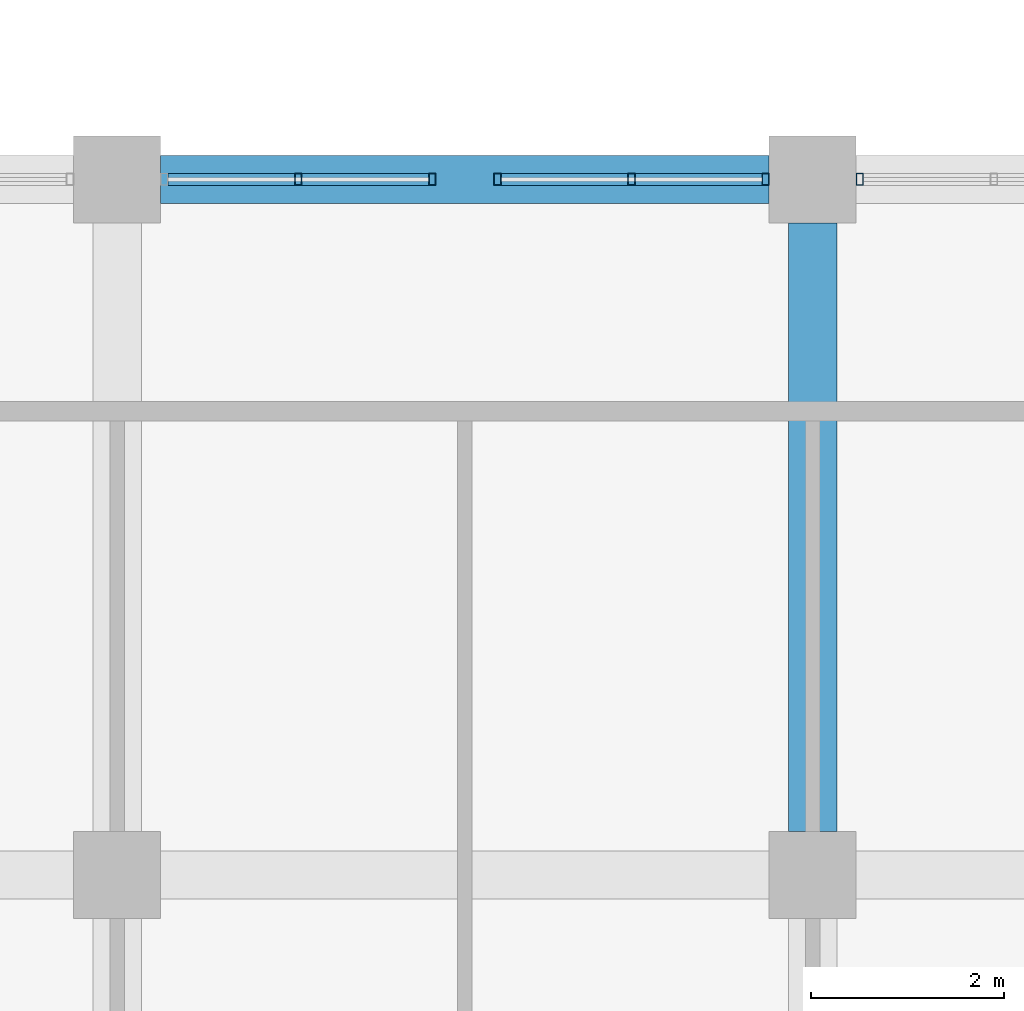
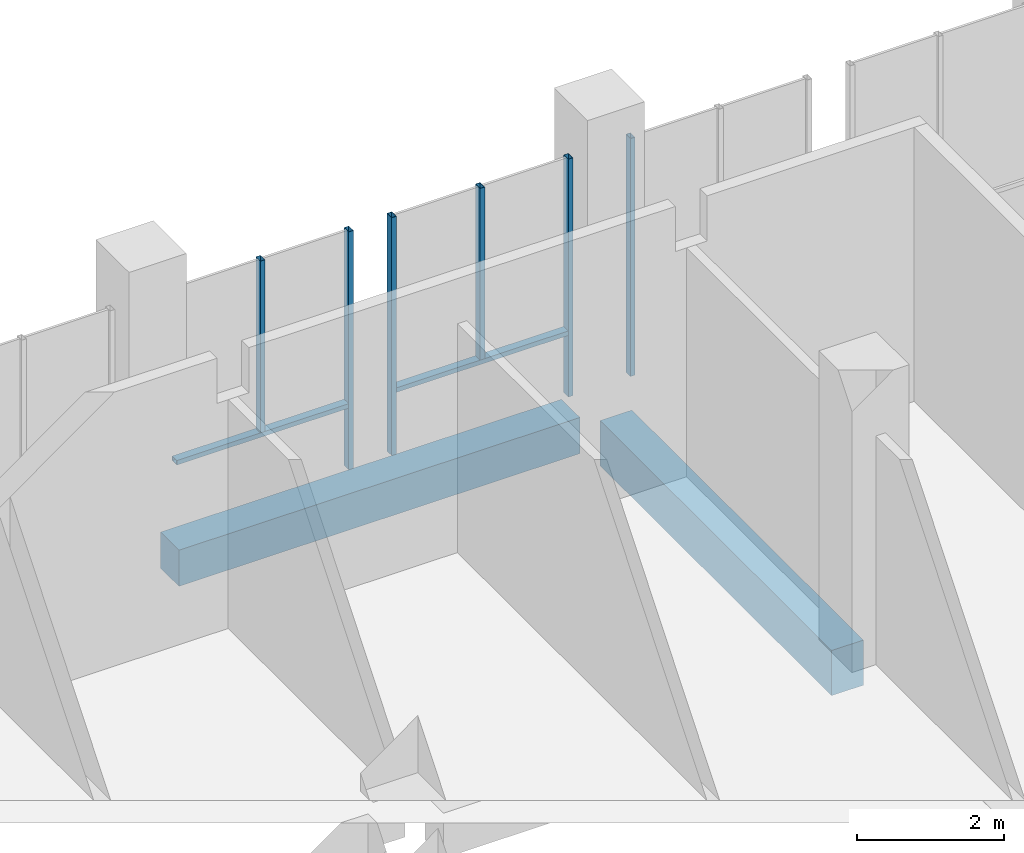
# One storey, part 3 of 39: 8 members, 2 beams, 3 elements without a shape of their own.
"""IFC4 building model written with IfcOpenShell, lengths in metres."""

from ifc_helpers import new_model, si_unit, direction, frame, origin, origin_2d, place, context, subcontext, project, spatial, rectangle, hollow_rectangle, extrude, material, material_profile, profile_set, type_object, element, aggregate, save


model = new_model("IFC4")

# Units and contexts
model_context = context("Model", 3, precision=1e-05, world=origin(), true_north=direction((0.0, 1.0)))
body_context = subcontext(model_context, "Body", "Model", "MODEL_VIEW")
ifc_project = project(units=[si_unit("LENGTHUNIT", "METRE"), si_unit("AREAUNIT", "SQUARE_METRE"), si_unit("VOLUMEUNIT", "CUBIC_METRE"), si_unit("PLANEANGLEUNIT", "RADIAN"), si_unit("MASSUNIT", "GRAM", prefix="KILO")], contexts=[model_context])

# Site, building, storey
site_placement = place(None, origin())
site = spatial("IfcSite", under=ifc_project, at=site_placement, CompositionType="ELEMENT")
building_placement = place(site_placement, origin())
building = spatial("IfcBuilding", under=site, at=building_placement, Name="Silangan Lancet Faculty of Sciences", CompositionType="ELEMENT")
storey_placement = place(building_placement, frame((0.0, 0.0, 26.39990234375)))
storey = spatial("IfcBuildingStorey", under=building, at=storey_placement, Name="L05", CompositionType="ELEMENT", Elevation=26.39990234375)

# Beams
ifc_material_1 = material(Name="Concrete C40/50", Category="concrete")
ifc_material_profile_1 = material_profile(ifc_material_1, rectangle(XDim=0.5, YDim=0.60009765625, at=origin_2d()), Name="RC 500x600")
ifc_profile_set_1 = profile_set([ifc_material_profile_1], Name="Concrete C40/50")
beam_type_1 = type_object("IfcBeamType", Name="BEAM RC 500x600", PredefinedType="BEAM", material=ifc_profile_set_1)
beam_1_placement = place(storey_placement, frame((7.64990234375, 21.60009765625, -0.5498046875), z_axis=(1.0, 0.0, 0.0), x_axis=(0.0, 1.0, 0.0)))
element("IfcBeam", 1, at=beam_1_placement, inside=storey, type_object=beam_type_1, Name="BM-L05-2D-3D", PredefinedType="BEAM", context=body_context, shape_type="SweptSolid", body=[
    extrude(rectangle(XDim=0.5, YDim=0.60009765625, at=origin_2d()), origin(), (0.0, 0.0, 1.0), 6.300048828125),
])
ifc_material_2 = material(Name="Concrete C40/50", Category="concrete")
ifc_material_profile_2 = material_profile(ifc_material_2, rectangle(XDim=0.5, YDim=0.75, at=origin_2d()), Name="RC 500x750")
ifc_profile_set_2 = profile_set([ifc_material_profile_2], Name="Concrete C40/50")
beam_type_2 = type_object("IfcBeamType", Name="BEAM RC 500x750", PredefinedType="BEAM", material=ifc_profile_set_2)
beam_2_placement = place(storey_placement, frame((14.39990234375, 14.85009765625, -0.625), z_axis=(0.0, 1.0, 0.0), x_axis=(-1.0, 0.0, 0.0)))
element("IfcBeam", 2, at=beam_2_placement, inside=storey, type_object=beam_type_2, Name="BM-L05-3C-3D", PredefinedType="BEAM", context=body_context, shape_type="SweptSolid", body=[
    extrude(rectangle(XDim=0.5, YDim=0.75, at=origin_2d()), origin(), (0.0, 0.0, 1.0), 6.2998046875),
])

# Curtain wall, member
ifc_material_3 = material(Name="Aluminium framed curtain wall with insulated glass", Category="aluminium")
curtain_wall_type = type_object("IfcCurtainWallType", Name="CW2 Atrium fire-resisting screen", PredefinedType="NOTDEFINED", material=ifc_material_3)
curtain_wall_1_placement = place(storey_placement, origin())
curtain_wall_1 = element("IfcCurtainWall", 3, at=curtain_wall_1_placement, inside=storey, type_object=curtain_wall_type, Name="CW2 Atrium south L05 bay 2", PredefinedType="NOTDEFINED")
ifc_material_4 = material(Name="Steel S355J2H", Category="steel")
ifc_material_profile_3 = material_profile(ifc_material_4, hollow_rectangle(XDim=0.074951171875, YDim=0.125, WallThickness=0.0048828125, at=origin_2d()), Name="ST BOX 75x125x5")
ifc_profile_set_3 = profile_set([ifc_material_profile_3], Name="Steel S355J2H")
member_type_1 = type_object("IfcMemberType", Name="CM2 Mullion 75x125", PredefinedType="MULLION", material=ifc_profile_set_3)
member_1_placement = place(storey_placement, frame((14.887451171875, 21.60009765625, 0.0), z_axis=(0.0, 0.0, 1.0), x_axis=(-1.0, 0.0, 0.0)))
member_1 = element("IfcMember", 4, at=member_1_placement, type_object=member_type_1, Name="CW2 Atrium south L05 bay 2 mullion 2", PredefinedType="MULLION", context=body_context, shape_type="SweptSolid", body=[
    extrude(hollow_rectangle(XDim=0.074951171875, YDim=0.125, WallThickness=0.0048828125, at=origin_2d()), origin(), (0.0, 0.0, 1.0), 3.9501953125),
])
aggregate(curtain_wall_1, [member_1])

# Curtain wall, members
curtain_wall_2_placement = place(storey_placement, origin())
curtain_wall_2 = element("IfcCurtainWall", 5, at=curtain_wall_2_placement, inside=storey, type_object=curtain_wall_type, Name="CW2 Atrium south L05 bay 3", PredefinedType="NOTDEFINED")
member_2_placement = place(storey_placement, frame((13.91259765625, 21.60009765625, 0.0), z_axis=(0.0, 0.0, 1.0), x_axis=(-1.0, 0.0, 0.0)))
member_2 = element("IfcMember", 6, at=member_2_placement, type_object=member_type_1, Name="CW2 Atrium south L05 bay 3 mullion 1", PredefinedType="MULLION", context=body_context, shape_type="SweptSolid", body=[
    extrude(hollow_rectangle(XDim=0.074951171875, YDim=0.125, WallThickness=0.0048828125, at=origin_2d()), origin(), (0.0, 0.0, 1.0), 3.9501953125),
])
member_3_placement = place(storey_placement, frame((11.137451171875, 21.60009765625, 0.0), z_axis=(0.0, 0.0, 1.0), x_axis=(-1.0, 0.0, 0.0)))
member_3 = element("IfcMember", 7, at=member_3_placement, type_object=member_type_1, Name="CW2 Atrium south L05 bay 3 mullion 2", PredefinedType="MULLION", context=body_context, shape_type="SweptSolid", body=[
    extrude(hollow_rectangle(XDim=0.074951171875, YDim=0.125, WallThickness=0.0048828125, at=origin_2d()), origin(), (0.0, 0.0, 1.0), 3.9501953125),
])
member_4_placement = place(storey_placement, frame((12.52490234375, 21.60009765625, 1.10009765625), z_axis=(0.0, 0.0, 1.0), x_axis=(-1.0, 0.0, 0.0)))
member_4 = element("IfcMember", 8, at=member_4_placement, type_object=member_type_1, Name="CW2 Atrium south L05 bay 3 mullion 3", PredefinedType="MULLION", context=body_context, shape_type="SweptSolid", body=[
    extrude(hollow_rectangle(XDim=0.074951171875, YDim=0.125, WallThickness=0.0048828125, at=origin_2d()), origin(), (0.0, 0.0, 1.0), 2.85009765625),
])

curtain_wall_3_placement = place(storey_placement, origin())
curtain_wall_3 = element("IfcCurtainWall", 9, at=curtain_wall_3_placement, inside=storey, type_object=curtain_wall_type, Name="CW2 Atrium south L05 bay 4", PredefinedType="NOTDEFINED")
member_5_placement = place(storey_placement, frame((10.46240234375, 21.60009765625, 0.0), z_axis=(0.0, 0.0, 1.0), x_axis=(-1.0, 0.0, 0.0)))
member_5 = element("IfcMember", 10, at=member_5_placement, type_object=member_type_1, Name="CW2 Atrium south L05 bay 4 mullion 1", PredefinedType="MULLION", context=body_context, shape_type="SweptSolid", body=[
    extrude(hollow_rectangle(XDim=0.074951171875, YDim=0.125, WallThickness=0.0048828125, at=origin_2d()), origin(), (0.0, 0.0, 1.0), 3.9501953125),
])
member_6_placement = place(storey_placement, frame((9.074951171875, 21.60009765625, 1.10009765625), z_axis=(0.0, 0.0, 1.0), x_axis=(-1.0, 0.0, 0.0)))
member_6 = element("IfcMember", 11, at=member_6_placement, type_object=member_type_1, Name="CW2 Atrium south L05 bay 4 mullion 3", PredefinedType="MULLION", context=body_context, shape_type="SweptSolid", body=[
    extrude(hollow_rectangle(XDim=0.074951171875, YDim=0.125, WallThickness=0.0048828125, at=origin_2d()), origin(), (0.0, 0.0, 1.0), 2.85009765625),
])

# Member
ifc_material_5 = material(Name="Steel S355J2H", Category="steel")
ifc_material_profile_4 = material_profile(ifc_material_5, hollow_rectangle(XDim=0.125, YDim=0.074951171875, WallThickness=0.0048828125, at=origin_2d()), Name="ST BOX 125x75x5")
ifc_profile_set_4 = profile_set([ifc_material_profile_4], Name="Steel S355J2H")
member_type_2 = type_object("IfcMemberType", Name="CT2 Transom 125x75", PredefinedType="USERDEFINED", material=ifc_profile_set_4)
member_7_placement = place(storey_placement, frame((13.875, 21.60009765625, 1.0625), z_axis=(-1.0, 0.0, 0.0), x_axis=(0.0, -1.0, 0.0)))
member_7 = element("IfcMember", 12, at=member_7_placement, type_object=member_type_2, Name="CW2 Atrium south L05 bay 3 transom 1", ObjectType="TRANSOM", PredefinedType="USERDEFINED", context=body_context, shape_type="SweptSolid", body=[
    extrude(hollow_rectangle(XDim=0.125, YDim=0.074951171875, WallThickness=0.0048828125, at=origin_2d()), origin(), (0.0, 0.0, 1.0), 2.699951171875),
])

aggregate(curtain_wall_2, [member_2, member_3, member_4, member_7])

member_8_placement = place(storey_placement, frame((10.425048828125, 21.60009765625, 1.0625), z_axis=(-1.0, 0.0, 0.0), x_axis=(0.0, -1.0, 0.0)))
member_8 = element("IfcMember", 13, at=member_8_placement, type_object=member_type_2, Name="CW2 Atrium south L05 bay 4 transom 1", ObjectType="TRANSOM", PredefinedType="USERDEFINED", context=body_context, shape_type="SweptSolid", body=[
    extrude(hollow_rectangle(XDim=0.125, YDim=0.074951171875, WallThickness=0.0048828125, at=origin_2d()), origin(), (0.0, 0.0, 1.0), 2.699951171875),
])

aggregate(curtain_wall_3, [member_5, member_6, member_8])

save(model, "model.ifc")
